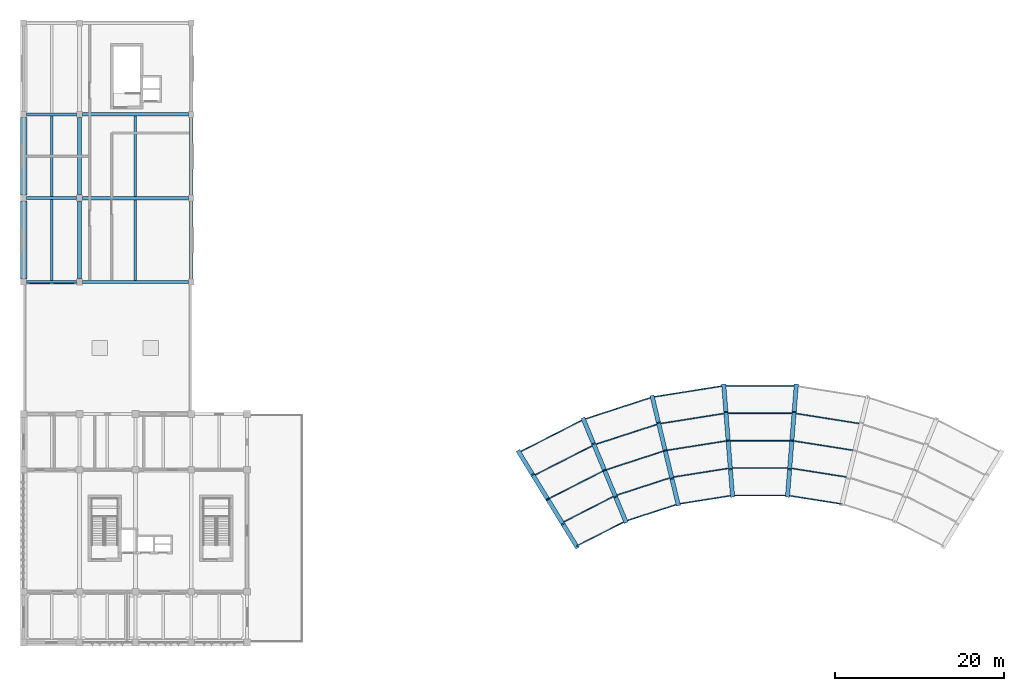
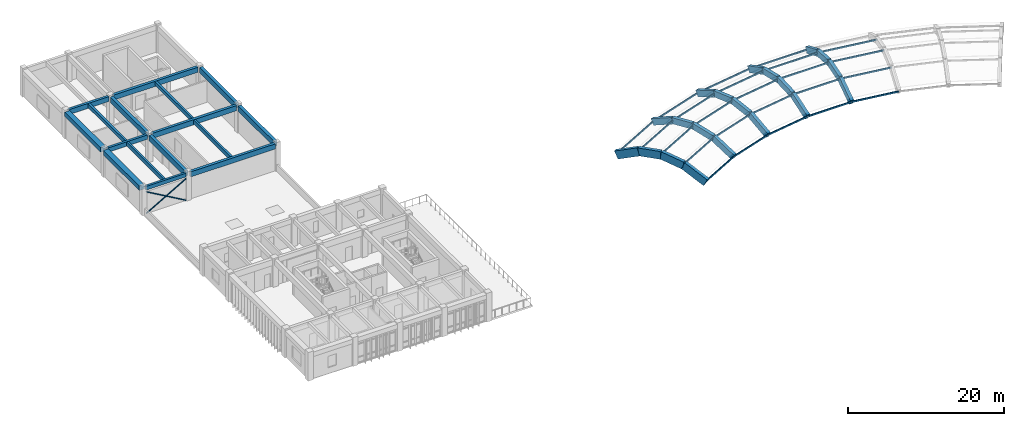
# One storey, part 5 of 18: 36 beams, 27 members.
"""IFC4 building model written with IfcOpenShell, lengths in metres."""

import ifcopenshell
import ifcopenshell.guid

model = None  # the IFC model being written
_history = None  # IfcOwnerHistory: only IFC2X3 demands one
_inside = {}  # id of a spatial element -> (the spatial element, [elements in it])
_under = {}  # id of a project, library or spatial element -> (it, [spatial elements below it])
_declared = {}  # id of a project -> (the project, [libraries it declares])
_typed = {}  # id of a type object -> (the type object, [elements of that type])
_made_of = {}  # id of a material, layer set ... -> (it, [elements and type objects made of it])


def new_model(schema):
    """Start an empty IFC model of exactly this schema.

    Asked for "IFC4X3", IfcOpenShell would pick the latest addendum, in which some entities
    have other attributes; the version numbers below select the first issue.
    IFC2X3 requires an IfcOwnerHistory on every rooted entity: one is made here for all.
    """
    global model, _history
    if schema == "IFC4X3":
        model = ifcopenshell.file(schema_version=(4, 3, 0, 0))
    else:
        model = ifcopenshell.file(schema=schema)
    _inside.clear()
    _under.clear()
    _declared.clear()
    _typed.clear()
    _made_of.clear()
    _history = None
    if model.schema == "IFC2X3":
        org = make("IfcOrganization", Name="unknown")
        user = make(
            "IfcPersonAndOrganization",
            ThePerson=make("IfcPerson", FamilyName="unknown"),
            TheOrganization=org,
        )
        app = make(
            "IfcApplication",
            ApplicationDeveloper=org,
            Version="unknown",
            ApplicationFullName="unknown",
            ApplicationIdentifier="unknown",
        )
        _history = make(
            "IfcOwnerHistory",
            OwningUser=user,
            OwningApplication=app,
            ChangeAction="ADDED",
            CreationDate=0,
        )
    return model


def make(cls, **values):
    """One entity of the class cls with the attributes given. An attribute that is None is left unset."""
    return model.create_entity(
        cls, **{name: value for name, value in values.items() if value is not None}
    )


def rooted(cls, **values):
    """An entity with a GlobalId (a new one), such as an element, a storey or a relation."""
    return make(cls, GlobalId=ifcopenshell.guid.new(), OwnerHistory=_history, **values)


def si_unit(unit_type, name, prefix=None):
    """IfcSIUnit, for example si_unit("LENGTHUNIT", "METRE", prefix="MILLI")."""
    return make("IfcSIUnit", UnitType=unit_type, Prefix=prefix, Name=name)


def assignment(units):
    """IfcUnitAssignment: the units of a project."""
    return None if units is None else make("IfcUnitAssignment", Units=units)


def point(xyz):
    """IfcCartesianPoint."""
    return None if xyz is None else make("IfcCartesianPoint", Coordinates=xyz)


def direction(xyz):
    """IfcDirection."""
    return None if xyz is None else make("IfcDirection", DirectionRatios=xyz)


def frame(location, z_axis=None, x_axis=None):
    """IfcAxis2Placement3D, a coordinate frame: its origin and axes. An axis left out is left unset."""
    return make(
        "IfcAxis2Placement3D",
        Location=point(location),
        Axis=direction(z_axis),
        RefDirection=direction(x_axis),
    )


def frame_2d(location, x_axis=None):
    """IfcAxis2Placement2D, a coordinate frame in the plane: its origin and x axis."""
    return make(
        "IfcAxis2Placement2D", Location=point(location), RefDirection=direction(x_axis)
    )


def origin():
    """The frame at (0, 0, 0) with its axes left unset."""
    return frame((0.0, 0.0, 0.0))


def origin_2d():
    """The frame at (0, 0) in the plane with its x axis left unset."""
    return frame_2d((0.0, 0.0))


def place(relative_to, where):
    """IfcLocalPlacement: puts the frame where relative to a parent placement (None: the world)."""
    return make(
        "IfcLocalPlacement", PlacementRelTo=relative_to, RelativePlacement=where
    )


def context(
    kind, dimensions, precision=None, world=None, true_north=None, identifier=None
):
    """IfcGeometricRepresentationContext, for example the 3D "Model" context."""
    return make(
        "IfcGeometricRepresentationContext",
        ContextIdentifier=identifier,
        ContextType=kind,
        CoordinateSpaceDimension=dimensions,
        Precision=precision,
        WorldCoordinateSystem=world,
        TrueNorth=true_north,
    )


def subcontext(parent, identifier, kind, view, scale=None):
    """IfcGeometricRepresentationSubContext, for example "Body" below "Model"."""
    return make(
        "IfcGeometricRepresentationSubContext",
        ContextIdentifier=identifier,
        ContextType=kind,
        ParentContext=parent,
        TargetScale=scale,
        TargetView=view,
    )


def project(units=None, contexts=None):
    """IfcProject with its units and contexts."""
    return rooted(
        "IfcProject",
        Name="project",
        RepresentationContexts=contexts,
        UnitsInContext=assignment(units),
    )


def spatial(cls, under=None, at=None, **own):
    """A site, building, storey or space (cls), placed at a placement, below another one or the project."""
    s = rooted(cls, ObjectPlacement=at, **own)
    if under is not None:
        _under.setdefault(under.id(), (under, []))[1].append(s)
    return s


def profile(cls, at=None, kind="AREA", **sizes):
    """A parametric profile (cls). Its sizes go by their IFC names, for example OverallWidth=200.0."""
    return make(cls, ProfileType=kind, Position=at, **sizes)


def rectangle(**sizes):
    """IfcRectangleProfileDef."""
    return profile("IfcRectangleProfileDef", **sizes)


def hollow_rectangle(**sizes):
    """IfcRectangleHollowProfileDef."""
    return profile("IfcRectangleHollowProfileDef", **sizes)


def extrude(swept, where, along, depth):
    """IfcExtrudedAreaSolid: the profile swept, set in the frame where, extruded along a direction by depth."""
    return make(
        "IfcExtrudedAreaSolid",
        SweptArea=swept,
        Position=where,
        ExtrudedDirection=direction(along),
        Depth=depth,
    )


def shape(context_of_items, identifier, shape_type, items):
    """IfcShapeRepresentation: the items that make up one representation, for example the "Body"."""
    return make(
        "IfcShapeRepresentation",
        ContextOfItems=context_of_items,
        RepresentationIdentifier=identifier,
        RepresentationType=shape_type,
        Items=items,
    )


def material(Name=None, Category=None):
    """IfcMaterial."""
    return make("IfcMaterial", Name=Name, Category=Category)


def material_profile(
    of_material, cross_section, Name=None, Category=None, Priority=None
):
    """IfcMaterialProfile: a cross section and its material."""
    return make(
        "IfcMaterialProfile",
        Name=Name,
        Material=of_material,
        Profile=cross_section,
        Priority=Priority,
        Category=Category,
    )


def profile_set(profiles, Name=None, composite=None):
    """IfcMaterialProfileSet."""
    return make(
        "IfcMaterialProfileSet",
        Name=Name,
        MaterialProfiles=profiles,
        CompositeProfile=composite,
    )


def made_of(thing, what):
    """Note that an element or type object is made of a material, layer set ...; save() writes the relation."""
    if what is not None:
        _made_of.setdefault(what.id(), (what, []))[1].append(thing)
    return thing


def type_object(cls, material=None, **own):
    """A type object (cls), such as IfcWallType, which elements share."""
    return made_of(rooted(cls, **own), material)


def element(
    cls,
    number,
    at=None,
    inside=None,
    cuts=None,
    type_object=None,
    material=None,
    context=None,
    identifier="Body",
    shape_type=None,
    held_by="IfcProductDefinitionShape",
    body=None,
    shapes=None,
    **own,
):
    """One element of the class cls, such as IfcWall. Its Tag is "e" and its number.

    at: its placement. inside: the storey or other place that contains it. cuts: it is an
    opening in that element (IfcRelVoidsElement). A single representation is given by context,
    identifier, shape_type and body (its items); several are given by shapes. held_by: the class
    of the entity that holds the representations. save() writes the other relations.
    """
    e = rooted(cls, Tag="e%d" % number, ObjectPlacement=at, **own)
    if body is not None:
        shapes = [shape(context, identifier, shape_type, body)]
    if shapes is not None:
        e.Representation = make(held_by, Representations=shapes)
    if inside is not None:
        _inside.setdefault(inside.id(), (inside, []))[1].append(e)
    if cuts is not None:
        rooted(
            "IfcRelVoidsElement", RelatingBuildingElement=cuts, RelatedOpeningElement=e
        )
    if type_object is not None:
        _typed.setdefault(type_object.id(), (type_object, []))[1].append(e)
    return made_of(e, material)


def aggregate(whole, parts):
    """IfcRelAggregates: a whole, such as a stair, and the parts it consists of."""
    return rooted("IfcRelAggregates", RelatingObject=whole, RelatedObjects=parts)


def save(model, path):
    """Write the relations noted so far, then the file.

    IfcRelAggregates (storeys below a building ...), IfcRelContainedInSpatialStructure (elements
    in a storey), IfcRelDefinesByType, IfcRelAssociatesMaterial and IfcRelDeclares: one each for
    every whole, place, type object, material and project.
    """
    for whole, parts in _under.values():
        aggregate(whole, parts)
    for where, things in _inside.values():
        rooted(
            "IfcRelContainedInSpatialStructure",
            RelatedElements=things,
            RelatingStructure=where,
        )
    for kind, things in _typed.values():
        rooted("IfcRelDefinesByType", RelatedObjects=things, RelatingType=kind)
    for what, things in _made_of.values():
        rooted("IfcRelAssociatesMaterial", RelatedObjects=things, RelatingMaterial=what)
    for by, libraries in _declared.values():
        rooted("IfcRelDeclares", RelatingContext=by, RelatedDefinitions=libraries)
    model.write(path)


model = new_model("IFC4")

# Units and contexts
model_context = context("Model", 3, precision=1e-05, world=origin(), true_north=direction((0.0, 1.0)))
body_context = subcontext(model_context, "Body", "Model", "MODEL_VIEW")
ifc_project = project(units=[si_unit("LENGTHUNIT", "METRE"), si_unit("AREAUNIT", "SQUARE_METRE"), si_unit("VOLUMEUNIT", "CUBIC_METRE"), si_unit("PLANEANGLEUNIT", "RADIAN"), si_unit("MASSUNIT", "GRAM", prefix="KILO")], contexts=[model_context])

# Site, building, storey
site_placement = place(None, origin())
site = spatial("IfcSite", under=ifc_project, at=site_placement, CompositionType="ELEMENT")
building_placement = place(site_placement, origin())
building = spatial("IfcBuilding", under=site, at=building_placement, Name="Miralva Faculty of Natural Sciences", CompositionType="ELEMENT")
storey_placement = place(building_placement, frame((0.0, 0.0, 28.5)))
storey = spatial("IfcBuildingStorey", under=building, at=storey_placement, Name="L06", CompositionType="ELEMENT", Elevation=28.5)

# Beams
ifc_material_1 = material(Name="Concrete C40/50", Category="concrete")
ifc_material_profile_1 = material_profile(ifc_material_1, rectangle(XDim=0.449951171875, YDim=0.85009765625, at=origin_2d()), Name="RC 450x850")
ifc_profile_set_1 = profile_set([ifc_material_profile_1], Name="Concrete C40/50")
beam_type_1 = type_object("IfcBeamType", Name="BM-B01", PredefinedType="BEAM", material=ifc_profile_set_1)
for number, where, z_axis, x_axis, name in (
    (1, (9.60009765625, 45.949951171875, 3.824951171875), (0.0, 1.0, 0.0), (-1.0, 0.0, 0.0), "Girder NS L06-34"),
    (2, (9.60009765625, 55.85009765625, 3.824951171875), (0.0, 1.0, 0.0), (-1.0, 0.0, 0.0), "Girder NS L06-35"),
    (3, (22.800048828125, 45.949951171875, 3.824951171875), (0.0, 1.0, 0.0), (-1.0, 0.0, 0.0), "Girder NS L06-43"),
    (4, (22.800048828125, 55.85009765625, 3.824951171875), (0.0, 1.0, 0.0), (-1.0, 0.0, 0.0), "Girder NS L06-44"),
):
    element("IfcBeam", number, at=place(storey_placement, frame(where, z_axis=z_axis, x_axis=x_axis)), inside=storey, type_object=beam_type_1, Name=name, PredefinedType="BEAM", context=body_context, shape_type="SweptSolid", body=[
        extrude(rectangle(XDim=0.449951171875, YDim=0.85009765625, at=origin_2d()), origin(), (0.0, 0.0, 1.0), 9.199951171875),
    ])
ifc_material_profile_2 = material_profile(ifc_material_1, rectangle(XDim=0.39990234375, YDim=0.800048828125, at=origin_2d()), Name="RC 400x800")
ifc_profile_set_2 = profile_set([ifc_material_profile_2], Name="Concrete C40/50")
beam_type_2 = type_object("IfcBeamType", Name="BM-B02", PredefinedType="BEAM", material=ifc_profile_set_2)
for number, where, z_axis, x_axis, name in (
    (5, (9.949951171875, 45.60009765625, 3.85009765625), (1.0, 0.0, 0.0), (0.0, 1.0, 0.0), "Girder EW L06-18"),
    (6, (9.949951171875, 55.5, 3.85009765625), (1.0, 0.0, 0.0), (0.0, 1.0, 0.0), "Girder EW L06-20"),
    (7, (9.949951171875, 65.39990234375, 3.85009765625), (1.0, 0.0, 0.0), (0.0, 1.0, 0.0), "Girder EW L06-22"),
):
    element("IfcBeam", number, at=place(storey_placement, frame(where, z_axis=z_axis, x_axis=x_axis)), inside=storey, type_object=beam_type_2, Name=name, PredefinedType="BEAM", context=body_context, shape_type="SweptSolid", body=[
        extrude(rectangle(XDim=0.39990234375, YDim=0.800048828125, at=origin_2d()), origin(), (0.0, 0.0, 1.0), 12.5),
    ])
ifc_material_profile_3 = material_profile(ifc_material_1, rectangle(XDim=0.320068359375, YDim=0.580078125, at=origin_2d()), Name="RC 320x580")
ifc_profile_set_3 = profile_set([ifc_material_profile_3], Name="Concrete C40/50")
beam_type_3 = type_object("IfcBeamType", Name="BM-BG02", PredefinedType="BEAM", material=ifc_profile_set_3)
beam_1_placement = place(storey_placement, frame((3.35009765625, 45.60009765625, 3.9599609375), z_axis=(1.0, 0.0, 0.0), x_axis=(0.0, 1.0, 0.0)))
element("IfcBeam", 8, at=beam_1_placement, inside=storey, type_object=beam_type_3, Name="Girder EW L06-17", PredefinedType="BEAM", context=body_context, shape_type="SweptSolid", body=[
    extrude(rectangle(XDim=0.320068359375, YDim=0.580078125, at=origin_2d()), origin(), (0.0, 0.0, 1.0), 5.89990234375),
])
ifc_material_profile_4 = material_profile(ifc_material_1, rectangle(XDim=0.340087890625, YDim=0.679931640625, at=origin_2d()), Name="RC 340x680")
ifc_profile_set_4 = profile_set([ifc_material_profile_4], Name="Concrete C40/50")
beam_type_4 = type_object("IfcBeamType", Name="BM-BG04", PredefinedType="BEAM", material=ifc_profile_set_4)
beam_2_placement = place(storey_placement, frame((3.35009765625, 55.5, 3.909912109375), z_axis=(1.0, 0.0, 0.0), x_axis=(0.0, 1.0, 0.0)))
element("IfcBeam", 9, at=beam_2_placement, inside=storey, type_object=beam_type_4, Name="Girder EW L06-19", PredefinedType="BEAM", context=body_context, shape_type="SweptSolid", body=[
    extrude(rectangle(XDim=0.340087890625, YDim=0.679931640625, at=origin_2d()), origin(), (0.0, 0.0, 1.0), 5.89990234375),
])
ifc_material_profile_5 = material_profile(ifc_material_1, rectangle(XDim=0.360107421875, YDim=0.760009765625, at=origin_2d()), Name="RC 360x760")
ifc_profile_set_5 = profile_set([ifc_material_profile_5], Name="Concrete C40/50")
beam_type_5 = type_object("IfcBeamType", Name="BM-BG06", PredefinedType="BEAM", material=ifc_profile_set_5)
beam_3_placement = place(storey_placement, frame((3.35009765625, 65.39990234375, 3.8701171875), z_axis=(1.0, 0.0, 0.0), x_axis=(0.0, 1.0, 0.0)))
element("IfcBeam", 10, at=beam_3_placement, inside=storey, type_object=beam_type_5, Name="Girder EW L06-21", PredefinedType="BEAM", context=body_context, shape_type="SweptSolid", body=[
    extrude(rectangle(XDim=0.360107421875, YDim=0.760009765625, at=origin_2d()), origin(), (0.0, 0.0, 1.0), 5.89990234375),
])
ifc_material_profile_6 = material_profile(ifc_material_1, rectangle(XDim=0.5, YDim=1.199951171875, at=origin_2d()), Name="RC 500x1200")
ifc_profile_set_6 = profile_set([ifc_material_profile_6], Name="Concrete C40/50")
beam_type_6 = type_object("IfcBeamType", Name="BM-EB01", PredefinedType="BEAM", material=ifc_profile_set_6)
beam_4_placement = place(storey_placement, frame((68.31640625, 14.384521484375, 1.06005859375), z_axis=(-0.470232085164, 0.767270581744, 0.436093614346), x_axis=(-0.852616367048, -0.522537396404, 0.0)))
element("IfcBeam", 11, at=beam_4_placement, inside=storey, type_object=beam_type_6, Name="Visible RC shell arch edge beam EB-01 chord 3", PredefinedType="BEAM", context=body_context, shape_type="SweptSolid", body=[
    extrude(rectangle(XDim=0.5, YDim=1.199951171875, at=origin_2d()), origin(), (0.0, 0.0, 1.0), 3.611572265625),
])
beam_5_placement = place(storey_placement, frame((66.6181640625, 17.155517578125, 2.635009765625), z_axis=(-0.515766048349, 0.841762820247, 0.15943882156), x_axis=(-0.852670340361, -0.522449318757, 0.0)))
element("IfcBeam", 12, at=beam_5_placement, inside=storey, type_object=beam_type_6, Name="Visible RC shell arch edge beam EB-01 chord 4", PredefinedType="BEAM", context=body_context, shape_type="SweptSolid", body=[
    extrude(rectangle(XDim=0.5, YDim=1.199951171875, at=origin_2d()), origin(), (0.0, 0.0, 1.0), 3.292236328125),
])
beam_6_placement = place(storey_placement, frame((64.920166015625, 19.9267578125, 3.159912109375), z_axis=(-0.515852674063, 0.841709006701, -0.159442675278), x_axis=(-0.852616367048, -0.522537396404, 0.0)))
element("IfcBeam", 13, at=beam_6_placement, inside=storey, type_object=beam_type_6, Name="Visible RC shell arch edge beam EB-01 chord 5", PredefinedType="BEAM", context=body_context, shape_type="SweptSolid", body=[
    extrude(rectangle(XDim=0.5, YDim=1.199951171875, at=origin_2d()), origin(), (0.0, 0.0, 1.0), 3.2919921875),
])
beam_7_placement = place(storey_placement, frame((63.221923828125, 22.69775390625, 2.635009765625), z_axis=(-0.470207695892, 0.767298383564, -0.436070995716), x_axis=(-0.852636876348, -0.522503930216, 0.0)))
element("IfcBeam", 14, at=beam_7_placement, inside=storey, type_object=beam_type_6, Name="Visible RC shell arch edge beam EB-01 chord 6", PredefinedType="BEAM", context=body_context, shape_type="SweptSolid", body=[
    extrude(rectangle(XDim=0.5, YDim=1.199951171875, at=origin_2d()), origin(), (0.0, 0.0, 1.0), 3.611572265625),
])
ifc_material_profile_7 = material_profile(ifc_material_1, rectangle(XDim=0.5, YDim=0.949951171875, at=origin_2d()), Name="RC 500x950")
ifc_profile_set_7 = profile_set([ifc_material_profile_7], Name="Concrete C40/50")
beam_type_7 = type_object("IfcBeamType", Name="BM-EB02", PredefinedType="BEAM", material=ifc_profile_set_7)
beam_8_placement = place(storey_placement, frame((74.11865234375, 17.341064453125, 1.18505859375), z_axis=(-0.344373939615, 0.831391972789, 0.436112344809), x_axis=(-0.923879489751, -0.382683535598, 0.0)))
element("IfcBeam", 15, at=beam_8_placement, inside=storey, type_object=beam_type_7, Name="Visible RC shell arch edge beam EB-02 chord 3", PredefinedType="BEAM", context=body_context, shape_type="SweptSolid", body=[
    extrude(rectangle(XDim=0.5, YDim=0.949951171875, at=origin_2d()), origin(), (0.0, 0.0, 1.0), 3.611328125),
])
for number, where, z_axis, x_axis, name in (
    (16, (72.875, 20.343505859375, 2.760009765625), (-0.377825448319, 0.91204616072, 0.159435665139), (-0.923863931748, -0.382721093768, 0.0), "Visible RC shell arch edge beam EB-02 chord 4"),
    (17, (71.631103515625, 23.34619140625, 3.284912109375), (-0.377761875464, 0.91207171306, -0.159440131968), (-0.92389049032, -0.382656976802, 0.0), "Visible RC shell arch edge beam EB-02 chord 5"),
):
    element("IfcBeam", number, at=place(storey_placement, frame(where, z_axis=z_axis, x_axis=x_axis)), inside=storey, type_object=beam_type_7, Name=name, PredefinedType="BEAM", context=body_context, shape_type="SweptSolid", body=[
        extrude(rectangle(XDim=0.5, YDim=0.949951171875, at=origin_2d()), origin(), (0.0, 0.0, 1.0), 3.292236328125),
    ])
beam_9_placement = place(storey_placement, frame((70.387451171875, 26.348876953125, 2.760009765625), z_axis=(-0.344373939615, 0.831391972789, -0.436112344809), x_axis=(-0.923879489751, -0.382683535598, 0.0)))
element("IfcBeam", 18, at=beam_9_placement, inside=storey, type_object=beam_type_7, Name="Visible RC shell arch edge beam EB-02 chord 6", PredefinedType="BEAM", context=body_context, shape_type="SweptSolid", body=[
    extrude(rectangle(XDim=0.5, YDim=0.949951171875, at=origin_2d()), origin(), (0.0, 0.0, 1.0), 3.611328125),
])
beam_10_placement = place(storey_placement, frame((80.31201171875, 19.353515625, 1.18505859375), z_axis=(-0.210104483033, 0.875029738862, 0.436095244546), x_axis=(-0.972362748828, -0.233475233572, 0.0)))
element("IfcBeam", 19, at=beam_10_placement, inside=storey, type_object=beam_type_7, Name="Visible RC shell arch edge beam EB-03 chord 3", PredefinedType="BEAM", context=body_context, shape_type="SweptSolid", body=[
    extrude(rectangle(XDim=0.5, YDim=0.949951171875, at=origin_2d()), origin(), (0.0, 0.0, 1.0), 3.611572265625),
])
for number, where, z_axis, x_axis, name in (
    (20, (79.55322265625, 22.513671875, 2.760009765625), (-0.230418180114, 0.959939788669, 0.159446117555), (-0.972379800638, -0.233404205855, 0.0), "Visible RC shell arch edge beam EB-03 chord 4"),
    (21, (78.794677734375, 25.673828125, 3.284912109375), (-0.230488401904, 0.959923382961, -0.159443392565), (-0.972362748828, -0.233475233572, 0.0), "Visible RC shell arch edge beam EB-03 chord 5"),
):
    element("IfcBeam", number, at=place(storey_placement, frame(where, z_axis=z_axis, x_axis=x_axis)), inside=storey, type_object=beam_type_7, Name=name, PredefinedType="BEAM", context=body_context, shape_type="SweptSolid", body=[
        extrude(rectangle(XDim=0.5, YDim=0.949951171875, at=origin_2d()), origin(), (0.0, 0.0, 1.0), 3.2919921875),
    ])
for number, where, z_axis, x_axis, name in (
    (22, (78.035888671875, 28.833984375, 2.760009765625), (-0.210104483033, 0.875029738862, -0.436095244546), (-0.972362748828, -0.233475233572, 0.0), "Visible RC shell arch edge beam EB-03 chord 6"),
    (23, (86.743896484375, 20.3720703125, 1.18505859375), (-0.070575221588, 0.89713004377, 0.436092676691), (-0.996919979292, -0.078425473467, 0.0), "Visible RC shell arch edge beam EB-04 chord 3"),
):
    element("IfcBeam", number, at=place(storey_placement, frame(where, z_axis=z_axis, x_axis=x_axis)), inside=storey, type_object=beam_type_7, Name=name, PredefinedType="BEAM", context=body_context, shape_type="SweptSolid", body=[
        extrude(rectangle(XDim=0.5, YDim=0.949951171875, at=origin_2d()), origin(), (0.0, 0.0, 1.0), 3.611572265625),
    ])
for number, where, z_axis, x_axis, name in (
    (24, (86.489013671875, 23.612060546875, 2.760009765625), (-0.077495910437, 0.984160983166, 0.159441346832), (-0.99691410334, -0.078500130962, 0.0), "Visible RC shell arch edge beam EB-04 chord 4"),
    (25, (86.23388671875, 26.85205078125, 3.284912109375), (-0.077422196405, 0.984166636483, -0.159442262711), (-0.996919979292, -0.078425473467, 0.0), "Visible RC shell arch edge beam EB-04 chord 5"),
):
    element("IfcBeam", number, at=place(storey_placement, frame(where, z_axis=z_axis, x_axis=x_axis)), inside=storey, type_object=beam_type_7, Name=name, PredefinedType="BEAM", context=body_context, shape_type="SweptSolid", body=[
        extrude(rectangle(XDim=0.5, YDim=0.949951171875, at=origin_2d()), origin(), (0.0, 0.0, 1.0), 3.292236328125),
    ])
for number, where, z_axis, x_axis, name in (
    (26, (85.97900390625, 30.092041015625, 2.760009765625), (-0.070575221588, 0.89713004377, -0.436092676691), (-0.996919979292, -0.078425473467, 0.0), "Visible RC shell arch edge beam EB-04 chord 6"),
    (27, (93.256103515625, 20.3720703125, 1.18505859375), (0.070575221588, 0.89713004377, 0.436092676691), (-0.996919979292, 0.078425473467, 0.0), "Visible RC shell arch edge beam EB-05 chord 3"),
):
    element("IfcBeam", number, at=place(storey_placement, frame(where, z_axis=z_axis, x_axis=x_axis)), inside=storey, type_object=beam_type_7, Name=name, PredefinedType="BEAM", context=body_context, shape_type="SweptSolid", body=[
        extrude(rectangle(XDim=0.5, YDim=0.949951171875, at=origin_2d()), origin(), (0.0, 0.0, 1.0), 3.611572265625),
    ])
for number, where, z_axis, x_axis, name in (
    (28, (93.510986328125, 23.612060546875, 2.760009765625), (0.077495910437, 0.984160983166, 0.159441346832), (-0.99691410334, 0.078500130962, 0.0), "Visible RC shell arch edge beam EB-05 chord 4"),
    (29, (93.76611328125, 26.85205078125, 3.284912109375), (0.077422196405, 0.984166636483, -0.159442262711), (-0.996919979292, 0.078425473467, 0.0), "Visible RC shell arch edge beam EB-05 chord 5"),
):
    element("IfcBeam", number, at=place(storey_placement, frame(where, z_axis=z_axis, x_axis=x_axis)), inside=storey, type_object=beam_type_7, Name=name, PredefinedType="BEAM", context=body_context, shape_type="SweptSolid", body=[
        extrude(rectangle(XDim=0.5, YDim=0.949951171875, at=origin_2d()), origin(), (0.0, 0.0, 1.0), 3.292236328125),
    ])
beam_11_placement = place(storey_placement, frame((94.02099609375, 30.092041015625, 2.760009765625), z_axis=(0.070575221588, 0.89713004377, -0.436092676691), x_axis=(-0.996919979292, 0.078425473467, 0.0)))
element("IfcBeam", 30, at=beam_11_placement, inside=storey, type_object=beam_type_7, Name="Visible RC shell arch edge beam EB-05 chord 6", PredefinedType="BEAM", context=body_context, shape_type="SweptSolid", body=[
    extrude(rectangle(XDim=0.5, YDim=0.949951171875, at=origin_2d()), origin(), (0.0, 0.0, 1.0), 3.611572265625),
])
ifc_material_profile_8 = material_profile(ifc_material_1, rectangle(XDim=0.300048828125, YDim=0.60009765625, at=origin_2d()), Name="RC 300x600")
ifc_profile_set_8 = profile_set([ifc_material_profile_8], Name="Concrete C40/50")
beam_type_8 = type_object("IfcBeamType", Name="BM-J01", PredefinedType="JOIST", material=ifc_profile_set_8)
beam_12_placement = place(storey_placement, frame((6.300048828125, 45.760009765625, 3.949951171875), z_axis=(0.0, 1.0, 0.0), x_axis=(-1.0, 0.0, 0.0)))
element("IfcBeam", 31, at=beam_12_placement, inside=storey, type_object=beam_type_8, Name="Floor joist L06-9", PredefinedType="JOIST", context=body_context, shape_type="SweptSolid", body=[
    extrude(rectangle(XDim=0.300048828125, YDim=0.60009765625, at=origin_2d()), origin(), (0.0, 0.0, 1.0), 9.570068359375),
])
beam_13_placement = place(storey_placement, frame((16.199951171875, 45.800048828125, 3.949951171875), z_axis=(0.0, 1.0, 0.0), x_axis=(-1.0, 0.0, 0.0)))
element("IfcBeam", 32, at=beam_13_placement, inside=storey, type_object=beam_type_8, Name="Floor joist L06-10", PredefinedType="JOIST", context=body_context, shape_type="SweptSolid", body=[
    extrude(rectangle(XDim=0.300048828125, YDim=0.60009765625, at=origin_2d()), origin(), (0.0, 0.0, 1.0), 9.5),
])
beam_14_placement = place(storey_placement, frame((6.300048828125, 55.669921875, 3.949951171875), z_axis=(0.0, 1.0, 0.0), x_axis=(-1.0, 0.0, 0.0)))
element("IfcBeam", 33, at=beam_14_placement, inside=storey, type_object=beam_type_8, Name="Floor joist L06-11", PredefinedType="JOIST", context=body_context, shape_type="SweptSolid", body=[
    extrude(rectangle(XDim=0.300048828125, YDim=0.60009765625, at=origin_2d()), origin(), (0.0, 0.0, 1.0), 9.550048828125),
])
beam_15_placement = place(storey_placement, frame((16.199951171875, 55.699951171875, 3.949951171875), z_axis=(0.0, 1.0, 0.0), x_axis=(-1.0, 0.0, 0.0)))
element("IfcBeam", 34, at=beam_15_placement, inside=storey, type_object=beam_type_8, Name="Floor joist L06-12", PredefinedType="JOIST", context=body_context, shape_type="SweptSolid", body=[
    extrude(rectangle(XDim=0.300048828125, YDim=0.60009765625, at=origin_2d()), origin(), (0.0, 0.0, 1.0), 9.5),
])
ifc_material_profile_9 = material_profile(ifc_material_1, rectangle(XDim=0.75, YDim=0.699951171875, at=origin_2d()), Name="RC 750x700")
ifc_profile_set_9 = profile_set([ifc_material_profile_9], Name="Concrete C40/50")
beam_type_9 = type_object("IfcBeamType", Name="BM-SP01", PredefinedType="SPANDREL", material=ifc_profile_set_9)
for number, where, z_axis, x_axis, name in (
    (35, (3.0, 45.949951171875, 3.89990234375), (0.0, 1.0, 0.0), (-1.0, 0.0, 0.0), "Girder NS L06-28"),
    (36, (3.0, 55.85009765625, 3.89990234375), (0.0, 1.0, 0.0), (-1.0, 0.0, 0.0), "Girder NS L06-29"),
):
    element("IfcBeam", number, at=place(storey_placement, frame(where, z_axis=z_axis, x_axis=x_axis)), inside=storey, type_object=beam_type_9, Name=name, PredefinedType="SPANDREL", context=body_context, shape_type="SweptSolid", body=[
        extrude(rectangle(XDim=0.75, YDim=0.699951171875, at=origin_2d()), origin(), (0.0, 0.0, 1.0), 9.199951171875),
    ])

# Members
ifc_material_2 = material(Name="Steel S355", Category="steel")
ifc_material_profile_10 = material_profile(ifc_material_2, hollow_rectangle(XDim=0.14990234375, YDim=0.14990234375, WallThickness=0.008056640625, InnerFilletRadius=0.008056640625, OuterFilletRadius=0.01611328125, at=origin_2d()), Name="HSS 150x150x8")
ifc_profile_set_10 = profile_set([ifc_material_profile_10], Name="Steel S355")
member_type_1 = type_object("IfcMemberType", Name="MEM-BR01", PredefinedType="BRACE", material=ifc_profile_set_10)
member_1_placement = place(storey_placement, frame((3.35009765625, 45.419921875, 0.050048828125), z_axis=(0.866432593841, 0.0, 0.499294061981), x_axis=(0.0, 1.0, 0.0)))
element("IfcMember", 37, at=member_1_placement, inside=storey, type_object=member_type_1, Name="Mechanical plant solid-wall lateral steel brace 1A", PredefinedType="BRACE", context=body_context, shape_type="SweptSolid", body=[
    extrude(hollow_rectangle(XDim=0.14990234375, YDim=0.14990234375, WallThickness=0.008056640625, InnerFilletRadius=0.008056640625, OuterFilletRadius=0.01611328125, at=origin_2d()), origin(), (0.0, 0.0, 1.0), 6.809326171875),
])
for number, where, z_axis, x_axis, name in (
    (38, (3.35009765625, 45.419921875, 3.449951171875), (0.866432593841, 0.0, -0.499294061981), (0.0, 1.0, 0.0), "Mechanical plant split lateral steel brace 1B1"),
    (39, (6.300048828125, 45.419921875, 1.75), (0.866432593841, 0.0, -0.499294061981), (0.0, 1.0, 0.0), "Mechanical plant split lateral steel brace 1B2"),
):
    element("IfcMember", number, at=place(storey_placement, frame(where, z_axis=z_axis, x_axis=x_axis)), inside=storey, type_object=member_type_1, Name=name, PredefinedType="BRACE", context=body_context, shape_type="SweptSolid", body=[
        extrude(hollow_rectangle(XDim=0.14990234375, YDim=0.14990234375, WallThickness=0.008056640625, InnerFilletRadius=0.008056640625, OuterFilletRadius=0.01611328125, at=origin_2d()), origin(), (0.0, 0.0, 1.0), 3.40478515625),
    ])
ifc_material_profile_11 = material_profile(ifc_material_2, hollow_rectangle(XDim=0.14990234375, YDim=0.25, WallThickness=0.010009765625, InnerFilletRadius=0.010009765625, OuterFilletRadius=0.02001953125, at=origin_2d()), Name="HSS 250x150x10")
ifc_profile_set_11 = profile_set([ifc_material_profile_11], Name="Steel S355")
member_type_2 = type_object("IfcMemberType", Name="MEM-PU01", PredefinedType="PURLIN", material=ifc_profile_set_11)
member_2_placement = place(storey_placement, frame((68.31640625, 14.384521484375, 1.219970703125), z_axis=(0.890997149373, 0.45400889838, 0.0), x_axis=(-0.45400889838, 0.890997149373, 0.0)))
element("IfcMember", 40, at=member_2_placement, inside=storey, type_object=member_type_2, Name="Shell longitudinal purlin B1-K2", PredefinedType="PURLIN", context=body_context, shape_type="SweptSolid", body=[
    extrude(hollow_rectangle(XDim=0.14990234375, YDim=0.25, WallThickness=0.010009765625, InnerFilletRadius=0.010009765625, OuterFilletRadius=0.02001953125, at=origin_2d()), origin(), (0.0, 0.0, 1.0), 6.511962890625),
])
member_3_placement = place(storey_placement, frame((66.6181640625, 17.155517578125, 2.794921875), z_axis=(0.891008186769, 0.453987236727, 0.0), x_axis=(-0.453987236727, 0.891008186769, 0.0)))
element("IfcMember", 41, at=member_3_placement, inside=storey, type_object=member_type_2, Name="Shell longitudinal purlin B1-K3", PredefinedType="PURLIN", context=body_context, shape_type="SweptSolid", body=[
    extrude(hollow_rectangle(XDim=0.14990234375, YDim=0.25, WallThickness=0.010009765625, InnerFilletRadius=0.010009765625, OuterFilletRadius=0.02001953125, at=origin_2d()), origin(), (0.0, 0.0, 1.0), 7.022216796875),
])
member_4_placement = place(storey_placement, frame((64.920166015625, 19.9267578125, 3.320068359375), z_axis=(0.891004368008, 0.453994731458, 0.0), x_axis=(-0.453994731458, 0.891004368008, 0.0)))
element("IfcMember", 42, at=member_4_placement, inside=storey, type_object=member_type_2, Name="Shell longitudinal purlin B1-K4", PredefinedType="PURLIN", context=body_context, shape_type="SweptSolid", body=[
    extrude(hollow_rectangle(XDim=0.14990234375, YDim=0.25, WallThickness=0.010009765625, InnerFilletRadius=0.010009765625, OuterFilletRadius=0.02001953125, at=origin_2d()), origin(), (0.0, 0.0, 1.0), 7.531982421875),
])
member_5_placement = place(storey_placement, frame((63.221923828125, 22.69775390625, 2.794921875), z_axis=(0.891001267591, 0.454000816246, 0.0), x_axis=(-0.454000816246, 0.891001267591, 0.0)))
element("IfcMember", 43, at=member_5_placement, inside=storey, type_object=member_type_2, Name="Shell longitudinal purlin B1-K5", PredefinedType="PURLIN", context=body_context, shape_type="SweptSolid", body=[
    extrude(hollow_rectangle(XDim=0.14990234375, YDim=0.25, WallThickness=0.010009765625, InnerFilletRadius=0.010009765625, OuterFilletRadius=0.02001953125, at=origin_2d()), origin(), (0.0, 0.0, 1.0), 8.0419921875),
])
member_6_placement = place(storey_placement, frame((61.523681640625, 25.468994140625, 1.219970703125), z_axis=(0.891021631851, 0.453960848062, 0.0), x_axis=(-0.453960848062, 0.891021631851, 0.0)))
element("IfcMember", 44, at=member_6_placement, inside=storey, type_object=member_type_2, Name="Shell longitudinal purlin B1-K6", PredefinedType="PURLIN", context=body_context, shape_type="SweptSolid", body=[
    extrude(hollow_rectangle(XDim=0.14990234375, YDim=0.25, WallThickness=0.010009765625, InnerFilletRadius=0.010009765625, OuterFilletRadius=0.02001953125, at=origin_2d()), origin(), (0.0, 0.0, 1.0), 8.552001953125),
])
member_7_placement = place(storey_placement, frame((74.11865234375, 17.341064453125, 1.219970703125), z_axis=(0.951051699663, 0.309031818051, 0.0), x_axis=(-0.309031818051, 0.951051699663, 0.0)))
element("IfcMember", 45, at=member_7_placement, inside=storey, type_object=member_type_2, Name="Shell longitudinal purlin B2-K2", PredefinedType="PURLIN", context=body_context, shape_type="SweptSolid", body=[
    extrude(hollow_rectangle(XDim=0.14990234375, YDim=0.25, WallThickness=0.010009765625, InnerFilletRadius=0.010009765625, OuterFilletRadius=0.02001953125, at=origin_2d()), origin(), (0.0, 0.0, 1.0), 6.51220703125),
])
member_8_placement = place(storey_placement, frame((72.875, 20.343505859375, 2.794921875), z_axis=(0.951044799275, 0.309053053329, 0.0), x_axis=(-0.309053053329, 0.951044799275, 0.0)))
element("IfcMember", 46, at=member_8_placement, inside=storey, type_object=member_type_2, Name="Shell longitudinal purlin B2-K3", PredefinedType="PURLIN", context=body_context, shape_type="SweptSolid", body=[
    extrude(hollow_rectangle(XDim=0.14990234375, YDim=0.25, WallThickness=0.010009765625, InnerFilletRadius=0.010009765625, OuterFilletRadius=0.02001953125, at=origin_2d()), origin(), (0.0, 0.0, 1.0), 7.02197265625),
])
member_9_placement = place(storey_placement, frame((71.631103515625, 23.34619140625, 3.320068359375), z_axis=(0.951054551346, 0.309023041801, 0.0), x_axis=(-0.309023041801, 0.951054551346, 0.0)))
element("IfcMember", 47, at=member_9_placement, inside=storey, type_object=member_type_2, Name="Shell longitudinal purlin B2-K4", PredefinedType="PURLIN", context=body_context, shape_type="SweptSolid", body=[
    extrude(hollow_rectangle(XDim=0.14990234375, YDim=0.25, WallThickness=0.010009765625, InnerFilletRadius=0.010009765625, OuterFilletRadius=0.02001953125, at=origin_2d()), origin(), (0.0, 0.0, 1.0), 7.5322265625),
])
member_10_placement = place(storey_placement, frame((70.387451171875, 26.348876953125, 2.794921875), z_axis=(0.951057267914, 0.309014681119, 0.0), x_axis=(-0.309014681119, 0.951057267914, 0.0)))
element("IfcMember", 48, at=member_10_placement, inside=storey, type_object=member_type_2, Name="Shell longitudinal purlin B2-K5", PredefinedType="PURLIN", context=body_context, shape_type="SweptSolid", body=[
    extrude(hollow_rectangle(XDim=0.14990234375, YDim=0.25, WallThickness=0.010009765625, InnerFilletRadius=0.010009765625, OuterFilletRadius=0.02001953125, at=origin_2d()), origin(), (0.0, 0.0, 1.0), 8.0419921875),
])
member_11_placement = place(storey_placement, frame((69.143798828125, 29.351318359375, 1.219970703125), z_axis=(0.95105127035, 0.309033139267, 0.0), x_axis=(-0.309033139267, 0.95105127035, 0.0)))
element("IfcMember", 49, at=member_11_placement, inside=storey, type_object=member_type_2, Name="Shell longitudinal purlin B2-K6", PredefinedType="PURLIN", context=body_context, shape_type="SweptSolid", body=[
    extrude(hollow_rectangle(XDim=0.14990234375, YDim=0.25, WallThickness=0.010009765625, InnerFilletRadius=0.010009765625, OuterFilletRadius=0.02001953125, at=origin_2d()), origin(), (0.0, 0.0, 1.0), 8.552001953125),
])
member_12_placement = place(storey_placement, frame((80.31201171875, 19.353515625, 1.219970703125), z_axis=(0.987692036482, 0.156411128343, 0.0), x_axis=(-0.156411128343, 0.987692036482, 0.0)))
element("IfcMember", 50, at=member_12_placement, inside=storey, type_object=member_type_2, Name="Shell longitudinal purlin B3-K2", PredefinedType="PURLIN", context=body_context, shape_type="SweptSolid", body=[
    extrude(hollow_rectangle(XDim=0.14990234375, YDim=0.25, WallThickness=0.010009765625, InnerFilletRadius=0.010009765625, OuterFilletRadius=0.02001953125, at=origin_2d()), origin(), (0.0, 0.0, 1.0), 6.511962890625),
])
member_13_placement = place(storey_placement, frame((79.55322265625, 22.513671875, 2.794921875), z_axis=(0.987691260332, 0.156416029435, 0.0), x_axis=(-0.156416029435, 0.987691260332, 0.0)))
element("IfcMember", 51, at=member_13_placement, inside=storey, type_object=member_type_2, Name="Shell longitudinal purlin B3-K3", PredefinedType="PURLIN", context=body_context, shape_type="SweptSolid", body=[
    extrude(hollow_rectangle(XDim=0.14990234375, YDim=0.25, WallThickness=0.010009765625, InnerFilletRadius=0.010009765625, OuterFilletRadius=0.02001953125, at=origin_2d()), origin(), (0.0, 0.0, 1.0), 7.022216796875),
])
member_14_placement = place(storey_placement, frame((78.794677734375, 25.673828125, 3.320068359375), z_axis=(0.987689003083, 0.156430282199, 0.0), x_axis=(-0.156430282199, 0.987689003083, 0.0)))
element("IfcMember", 52, at=member_14_placement, inside=storey, type_object=member_type_2, Name="Shell longitudinal purlin B3-K4", PredefinedType="PURLIN", context=body_context, shape_type="SweptSolid", body=[
    extrude(hollow_rectangle(XDim=0.14990234375, YDim=0.25, WallThickness=0.010009765625, InnerFilletRadius=0.010009765625, OuterFilletRadius=0.02001953125, at=origin_2d()), origin(), (0.0, 0.0, 1.0), 7.531982421875),
])
member_15_placement = place(storey_placement, frame((78.035888671875, 28.833984375, 2.794921875), z_axis=(0.987688517737, 0.156433346608, 0.0), x_axis=(-0.156433346608, 0.987688517737, 0.0)))
element("IfcMember", 53, at=member_15_placement, inside=storey, type_object=member_type_2, Name="Shell longitudinal purlin B3-K5", PredefinedType="PURLIN", context=body_context, shape_type="SweptSolid", body=[
    extrude(hollow_rectangle(XDim=0.14990234375, YDim=0.25, WallThickness=0.010009765625, InnerFilletRadius=0.010009765625, OuterFilletRadius=0.02001953125, at=origin_2d()), origin(), (0.0, 0.0, 1.0), 8.042236328125),
])
member_16_placement = place(storey_placement, frame((77.277099609375, 31.994140625, 1.219970703125), z_axis=(0.987688090289, 0.1564360454, 0.0), x_axis=(-0.1564360454, 0.987688090289, 0.0)))
element("IfcMember", 54, at=member_16_placement, inside=storey, type_object=member_type_2, Name="Shell longitudinal purlin B3-K6", PredefinedType="PURLIN", context=body_context, shape_type="SweptSolid", body=[
    extrude(hollow_rectangle(XDim=0.14990234375, YDim=0.25, WallThickness=0.010009765625, InnerFilletRadius=0.010009765625, OuterFilletRadius=0.02001953125, at=origin_2d()), origin(), (0.0, 0.0, 1.0), 8.55224609375),
])
member_17_placement = place(storey_placement, frame((86.743896484375, 20.3720703125, 1.219970703125), z_axis=(1.0, 0.0, 0.0), x_axis=(0.0, 1.0, 0.0)))
element("IfcMember", 55, at=member_17_placement, inside=storey, type_object=member_type_2, Name="Shell longitudinal purlin B4-K2", PredefinedType="PURLIN", context=body_context, shape_type="SweptSolid", body=[
    extrude(hollow_rectangle(XDim=0.14990234375, YDim=0.25, WallThickness=0.010009765625, InnerFilletRadius=0.010009765625, OuterFilletRadius=0.02001953125, at=origin_2d()), origin(), (0.0, 0.0, 1.0), 6.51220703125),
])
member_18_placement = place(storey_placement, frame((86.489013671875, 23.612060546875, 2.794921875), z_axis=(1.0, 0.0, 0.0), x_axis=(0.0, 1.0, 0.0)))
element("IfcMember", 56, at=member_18_placement, inside=storey, type_object=member_type_2, Name="Shell longitudinal purlin B4-K3", PredefinedType="PURLIN", context=body_context, shape_type="SweptSolid", body=[
    extrude(hollow_rectangle(XDim=0.14990234375, YDim=0.25, WallThickness=0.010009765625, InnerFilletRadius=0.010009765625, OuterFilletRadius=0.02001953125, at=origin_2d()), origin(), (0.0, 0.0, 1.0), 7.02197265625),
])
member_19_placement = place(storey_placement, frame((86.23388671875, 26.85205078125, 3.320068359375), z_axis=(1.0, 0.0, 0.0), x_axis=(0.0, 1.0, 0.0)))
element("IfcMember", 57, at=member_19_placement, inside=storey, type_object=member_type_2, Name="Shell longitudinal purlin B4-K4", PredefinedType="PURLIN", context=body_context, shape_type="SweptSolid", body=[
    extrude(hollow_rectangle(XDim=0.14990234375, YDim=0.25, WallThickness=0.010009765625, InnerFilletRadius=0.010009765625, OuterFilletRadius=0.02001953125, at=origin_2d()), origin(), (0.0, 0.0, 1.0), 7.5322265625),
])
member_20_placement = place(storey_placement, frame((85.97900390625, 30.092041015625, 2.794921875), z_axis=(1.0, 0.0, 0.0), x_axis=(0.0, 1.0, 0.0)))
element("IfcMember", 58, at=member_20_placement, inside=storey, type_object=member_type_2, Name="Shell longitudinal purlin B4-K5", PredefinedType="PURLIN", context=body_context, shape_type="SweptSolid", body=[
    extrude(hollow_rectangle(XDim=0.14990234375, YDim=0.25, WallThickness=0.010009765625, InnerFilletRadius=0.010009765625, OuterFilletRadius=0.02001953125, at=origin_2d()), origin(), (0.0, 0.0, 1.0), 8.0419921875),
])
member_21_placement = place(storey_placement, frame((85.72412109375, 33.33203125, 1.219970703125), z_axis=(1.0, 0.0, 0.0), x_axis=(0.0, 1.0, 0.0)))
element("IfcMember", 59, at=member_21_placement, inside=storey, type_object=member_type_2, Name="Shell longitudinal purlin B4-K6", PredefinedType="PURLIN", context=body_context, shape_type="SweptSolid", body=[
    extrude(hollow_rectangle(XDim=0.14990234375, YDim=0.25, WallThickness=0.010009765625, InnerFilletRadius=0.010009765625, OuterFilletRadius=0.02001953125, at=origin_2d()), origin(), (0.0, 0.0, 1.0), 8.5517578125),
])
member_22_placement = place(storey_placement, frame((93.256103515625, 20.3720703125, 1.219970703125), z_axis=(0.987692036482, -0.156411128343, 0.0), x_axis=(0.156411128343, 0.987692036482, 0.0)))
element("IfcMember", 60, at=member_22_placement, inside=storey, type_object=member_type_2, Name="Shell longitudinal purlin B5-K2", PredefinedType="PURLIN", context=body_context, shape_type="SweptSolid", body=[
    extrude(hollow_rectangle(XDim=0.14990234375, YDim=0.25, WallThickness=0.010009765625, InnerFilletRadius=0.010009765625, OuterFilletRadius=0.02001953125, at=origin_2d()), origin(), (0.0, 0.0, 1.0), 6.511962890625),
])
member_23_placement = place(storey_placement, frame((93.510986328125, 23.612060546875, 2.794921875), z_axis=(0.987691260332, -0.156416029435, 0.0), x_axis=(0.156416029435, 0.987691260332, 0.0)))
element("IfcMember", 61, at=member_23_placement, inside=storey, type_object=member_type_2, Name="Shell longitudinal purlin B5-K3", PredefinedType="PURLIN", context=body_context, shape_type="SweptSolid", body=[
    extrude(hollow_rectangle(XDim=0.14990234375, YDim=0.25, WallThickness=0.010009765625, InnerFilletRadius=0.010009765625, OuterFilletRadius=0.02001953125, at=origin_2d()), origin(), (0.0, 0.0, 1.0), 7.022216796875),
])
member_24_placement = place(storey_placement, frame((93.76611328125, 26.85205078125, 3.320068359375), z_axis=(0.987689003083, -0.156430282199, 0.0), x_axis=(0.156430282199, 0.987689003083, 0.0)))
element("IfcMember", 62, at=member_24_placement, inside=storey, type_object=member_type_2, Name="Shell longitudinal purlin B5-K4", PredefinedType="PURLIN", context=body_context, shape_type="SweptSolid", body=[
    extrude(hollow_rectangle(XDim=0.14990234375, YDim=0.25, WallThickness=0.010009765625, InnerFilletRadius=0.010009765625, OuterFilletRadius=0.02001953125, at=origin_2d()), origin(), (0.0, 0.0, 1.0), 7.531982421875),
])
member_25_placement = place(storey_placement, frame((94.02099609375, 30.092041015625, 2.794921875), z_axis=(0.987688517737, -0.156433346608, 0.0), x_axis=(0.156433346608, 0.987688517737, 0.0)))
element("IfcMember", 63, at=member_25_placement, inside=storey, type_object=member_type_2, Name="Shell longitudinal purlin B5-K5", PredefinedType="PURLIN", context=body_context, shape_type="SweptSolid", body=[
    extrude(hollow_rectangle(XDim=0.14990234375, YDim=0.25, WallThickness=0.010009765625, InnerFilletRadius=0.010009765625, OuterFilletRadius=0.02001953125, at=origin_2d()), origin(), (0.0, 0.0, 1.0), 8.042236328125),
])

save(model, "model.ifc")
